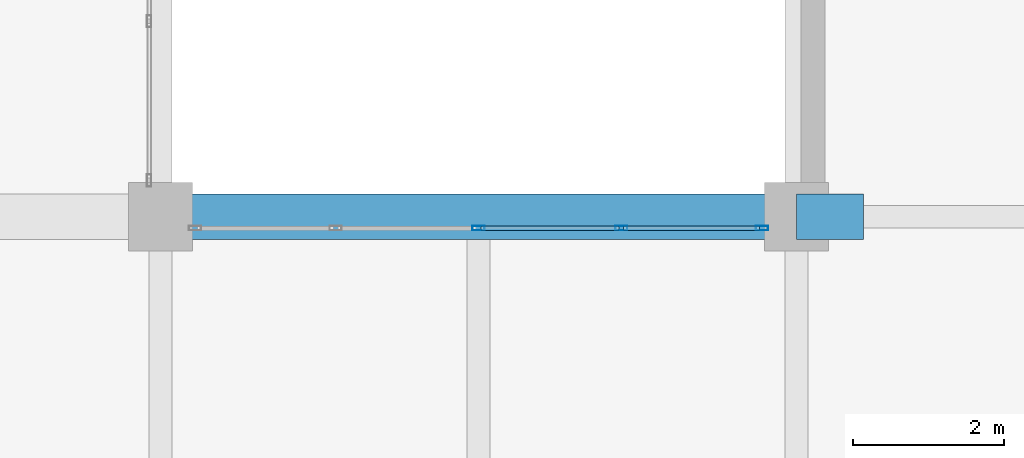
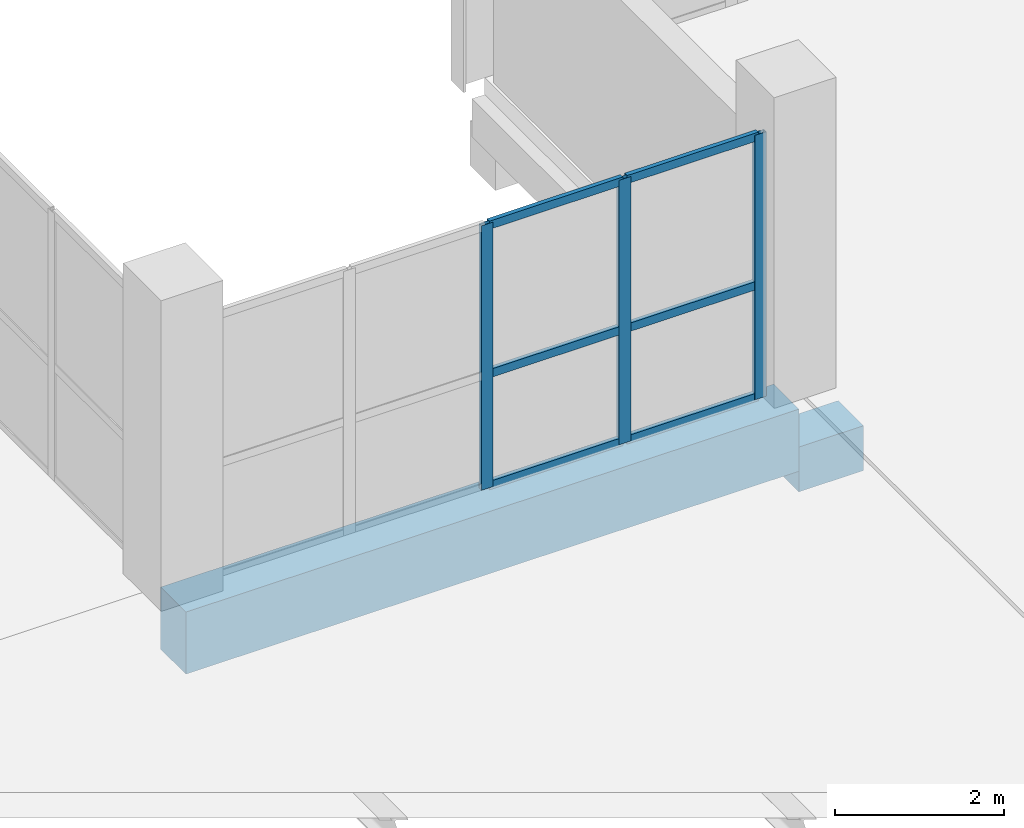
# One storey, part 37 of 113: 9 members, 2 beams, 1 element without a shape of its own.
"""IFC4 building model written with IfcOpenShell, lengths in metres."""

from ifc_helpers import new_model, si_unit, direction, frame, origin, origin_2d, place, context, subcontext, project, spatial, rectangle, hollow_rectangle, extrude, material, material_profile, profile_set, type_object, element, aggregate, save


model = new_model("IFC4")

# Units and contexts
model_context = context("Model", 3, precision=1e-05, world=origin(), true_north=direction((0.0, 1.0)))
body_context = subcontext(model_context, "Body", "Model", "MODEL_VIEW")
ifc_project = project(units=[si_unit("LENGTHUNIT", "METRE"), si_unit("AREAUNIT", "SQUARE_METRE"), si_unit("VOLUMEUNIT", "CUBIC_METRE"), si_unit("PLANEANGLEUNIT", "RADIAN"), si_unit("MASSUNIT", "GRAM", prefix="KILO")], contexts=[model_context])

# Site, building, storey
site_placement = place(None, origin())
site = spatial("IfcSite", under=ifc_project, at=site_placement, CompositionType="ELEMENT")
building_placement = place(site_placement, origin())
building = spatial("IfcBuilding", under=site, at=building_placement, Name="Veltarok Museum of Natural Sciences", CompositionType="ELEMENT")
storey_placement = place(building_placement, frame((0.0, 0.0, 8.39990234375)))
storey = spatial("IfcBuildingStorey", under=building, at=storey_placement, Name="L01", CompositionType="ELEMENT", Elevation=8.39990234375)

# Curtain wall, members
ifc_material_1 = material(Name="Low-iron triple insulated glass", Category="glass")
curtain_wall_type = type_object("IfcCurtainWallType", Name="Curtain Wall System CW-V1CN-L01-1-755x383 (CW-V1CN L01 755x383cm)", PredefinedType="NOTDEFINED", material=ifc_material_1)
curtain_wall_placement = place(storey_placement, origin())
curtain_wall = element("IfcCurtainWall", 1, at=curtain_wall_placement, inside=storey, type_object=curtain_wall_type, Name="Curtain Wall CW-V1CN-L01-1-755x383 CW-0157", PredefinedType="NOTDEFINED")
ifc_material_2 = material(Name="Thermally broken anodised aluminium", Category="aluminium")
ifc_material_profile_1 = material_profile(ifc_material_2, hollow_rectangle(XDim=0.06005859375, YDim=0.1201171875, WallThickness=0.0048828125, at=origin_2d()), Name="CW TRANSOM 60x120x5")
ifc_profile_set_1 = profile_set([ifc_material_profile_1], Name="Thermally broken anodised aluminium")
member_type_1 = type_object("IfcMemberType", Name="Curtain Wall Horizontal Transom 60x120x5", PredefinedType="USERDEFINED", material=ifc_profile_set_1)
member_1_placement = place(storey_placement, frame((106.715087890625, 19.050048828125, 0.028076171875), z_axis=(-1.0, 0.0, 0.0), x_axis=(0.0, -1.0, 0.0)))
member_1 = element("IfcMember", 2, at=member_1_placement, type_object=member_type_1, Name="CW-V1CN-L01-1-755x383 transom 1.1", ObjectType="TRANSOM", PredefinedType="USERDEFINED", context=body_context, shape_type="SweptSolid", body=[
    extrude(hollow_rectangle(XDim=0.06005859375, YDim=0.1201171875, WallThickness=0.0048828125, at=origin_2d()), origin(), (0.0, 0.0, 1.0), 1.797607421875),
])
member_2_placement = place(storey_placement, frame((106.715087890625, 19.050048828125, 1.648193359375), z_axis=(-1.0, 0.0, 0.0), x_axis=(0.0, -1.0, 0.0)))
member_2 = element("IfcMember", 3, at=member_2_placement, type_object=member_type_1, Name="CW-V1CN-L01-1-755x383 transom 1.2", ObjectType="TRANSOM", PredefinedType="USERDEFINED", context=body_context, shape_type="SweptSolid", body=[
    extrude(hollow_rectangle(XDim=0.06005859375, YDim=0.1201171875, WallThickness=0.0048828125, at=origin_2d()), origin(), (0.0, 0.0, 1.0), 1.797607421875),
])
member_3_placement = place(storey_placement, frame((106.715087890625, 19.050048828125, 3.800048828125), z_axis=(-1.0, 0.0, 0.0), x_axis=(0.0, -1.0, 0.0)))
member_3 = element("IfcMember", 4, at=member_3_placement, type_object=member_type_1, Name="CW-V1CN-L01-1-755x383 transom 1.3", ObjectType="TRANSOM", PredefinedType="USERDEFINED", context=body_context, shape_type="SweptSolid", body=[
    extrude(hollow_rectangle(XDim=0.06005859375, YDim=0.1201171875, WallThickness=0.0048828125, at=origin_2d()), origin(), (0.0, 0.0, 1.0), 1.797607421875),
])
member_4_placement = place(storey_placement, frame((104.857421875, 19.050048828125, 0.028076171875), z_axis=(-1.0, 0.0, 0.0), x_axis=(0.0, -1.0, 0.0)))
member_4 = element("IfcMember", 5, at=member_4_placement, type_object=member_type_1, Name="CW-V1CN-L01-1-755x383 transom 2.1", ObjectType="TRANSOM", PredefinedType="USERDEFINED", context=body_context, shape_type="SweptSolid", body=[
    extrude(hollow_rectangle(XDim=0.06005859375, YDim=0.1201171875, WallThickness=0.0048828125, at=origin_2d()), origin(), (0.0, 0.0, 1.0), 1.827392578125),
])
member_5_placement = place(storey_placement, frame((104.857421875, 19.050048828125, 1.648193359375), z_axis=(-1.0, 0.0, 0.0), x_axis=(0.0, -1.0, 0.0)))
member_5 = element("IfcMember", 6, at=member_5_placement, type_object=member_type_1, Name="CW-V1CN-L01-1-755x383 transom 2.2", ObjectType="TRANSOM", PredefinedType="USERDEFINED", context=body_context, shape_type="SweptSolid", body=[
    extrude(hollow_rectangle(XDim=0.06005859375, YDim=0.1201171875, WallThickness=0.0048828125, at=origin_2d()), origin(), (0.0, 0.0, 1.0), 1.827392578125),
])
member_6_placement = place(storey_placement, frame((104.857421875, 19.050048828125, 3.800048828125), z_axis=(-1.0, 0.0, 0.0), x_axis=(0.0, -1.0, 0.0)))
member_6 = element("IfcMember", 7, at=member_6_placement, type_object=member_type_1, Name="CW-V1CN-L01-1-755x383 transom 2.3", ObjectType="TRANSOM", PredefinedType="USERDEFINED", context=body_context, shape_type="SweptSolid", body=[
    extrude(hollow_rectangle(XDim=0.06005859375, YDim=0.1201171875, WallThickness=0.0048828125, at=origin_2d()), origin(), (0.0, 0.0, 1.0), 1.827392578125),
])
ifc_material_profile_2 = material_profile(ifc_material_2, hollow_rectangle(XDim=0.06005859375, YDim=0.159912109375, WallThickness=0.0048828125, at=origin_2d()), Name="CW MULLION 60x160x5")
ifc_profile_set_2 = profile_set([ifc_material_profile_2], Name="Thermally broken anodised aluminium")
member_type_2 = type_object("IfcMemberType", Name="Curtain Wall Vertical Mullion 60x160x5", PredefinedType="MULLION", material=ifc_profile_set_2)
member_7_placement = place(storey_placement, frame((106.7451171875, 19.050048828125, -0.001953125), z_axis=(0.0, 0.0, 1.0), x_axis=(0.0, -1.0, 0.0)))
member_7 = element("IfcMember", 8, at=member_7_placement, type_object=member_type_2, Name="CW-V1CN-L01-1-755x383 mullion 1", PredefinedType="MULLION", context=body_context, shape_type="SweptSolid", body=[
    extrude(hollow_rectangle(XDim=0.06005859375, YDim=0.159912109375, WallThickness=0.0048828125, at=origin_2d()), origin(), (0.0, 0.0, 1.0), 3.83203125),
])
member_8_placement = place(storey_placement, frame((104.887451171875, 19.050048828125, -0.001953125), z_axis=(0.0, 0.0, 1.0), x_axis=(0.0, -1.0, 0.0)))
member_8 = element("IfcMember", 9, at=member_8_placement, type_object=member_type_2, Name="CW-V1CN-L01-1-755x383 mullion 2", PredefinedType="MULLION", context=body_context, shape_type="SweptSolid", body=[
    extrude(hollow_rectangle(XDim=0.06005859375, YDim=0.159912109375, WallThickness=0.0048828125, at=origin_2d()), origin(), (0.0, 0.0, 1.0), 3.83203125),
])
member_9_placement = place(storey_placement, frame((103.0, 19.050048828125, -0.001953125), z_axis=(0.0, 0.0, 1.0), x_axis=(0.0, -1.0, 0.0)))
member_9 = element("IfcMember", 10, at=member_9_placement, type_object=member_type_2, Name="CW-V1CN-L01-1-755x383 mullion 3", PredefinedType="MULLION", context=body_context, shape_type="SweptSolid", body=[
    extrude(hollow_rectangle(XDim=0.06005859375, YDim=0.159912109375, WallThickness=0.0048828125, at=origin_2d()), origin(), (0.0, 0.0, 1.0), 3.83203125),
])
aggregate(curtain_wall, [member_7, member_8, member_9, member_1, member_2, member_3, member_4, member_5, member_6])

# Beams
ifc_material_3 = material(Name="Concrete C40/50", Category="concrete")
ifc_material_profile_3 = material_profile(ifc_material_3, rectangle(XDim=0.60009765625, YDim=0.89990234375, at=origin_2d()), Name="RC 600x900")
ifc_profile_set_3 = profile_set([ifc_material_profile_3], Name="Concrete C40/50")
beam_type_1 = type_object("IfcBeamType", Name="Exposed Cabinet Perimeter Spandrel RC 600x900", PredefinedType="SPANDREL", material=ifc_profile_set_3)
beam_1_placement = place(storey_placement, frame((98.800048828125, 19.199951171875, -0.699951171875), z_axis=(1.0, 0.0, 0.0), x_axis=(0.0, 1.0, 0.0)))
element("IfcBeam", 11, at=beam_1_placement, inside=storey, type_object=beam_type_1, Name="Beam BM-SP01 L01 12-13/C", PredefinedType="SPANDREL", context=body_context, shape_type="SweptSolid", body=[
    extrude(rectangle(XDim=0.60009765625, YDim=0.89990234375, at=origin_2d()), origin(), (0.0, 0.0, 1.0), 8.39990234375),
])
ifc_material_profile_4 = material_profile(ifc_material_3, rectangle(XDim=0.60009765625, YDim=0.64990234375, at=origin_2d()), Name="RC 600x650")
ifc_profile_set_4 = profile_set([ifc_material_profile_4], Name="Concrete C40/50")
beam_type_2 = type_object("IfcBeamType", Name="Movement Joint Sliding Corbel RC 600x650", PredefinedType="BEAM", material=ifc_profile_set_4)
beam_2_placement = place(storey_placement, frame((107.199951171875, 19.199951171875, -1.125), z_axis=(1.0, 0.0, 0.0), x_axis=(0.0, 1.0, 0.0)))
element("IfcBeam", 12, at=beam_2_placement, inside=storey, type_object=beam_type_2, Name="Movement Joint Corbel L01 13/C", PredefinedType="BEAM", context=body_context, shape_type="SweptSolid", body=[
    extrude(rectangle(XDim=0.60009765625, YDim=0.64990234375, at=origin_2d()), origin(), (0.0, 0.0, 1.0), 0.885009765625),
])

save(model, "model.ifc")
